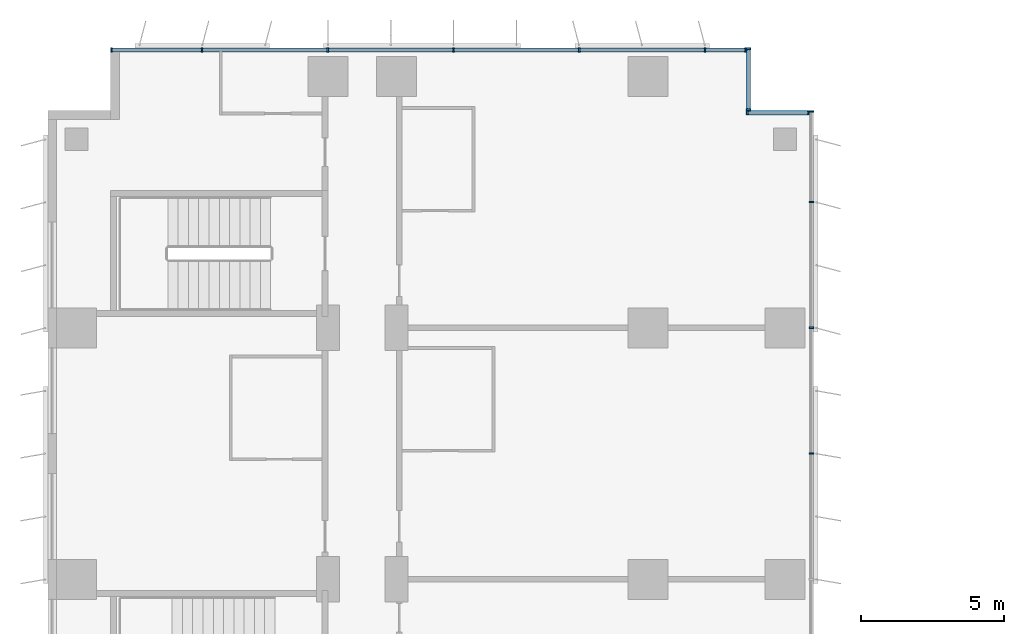
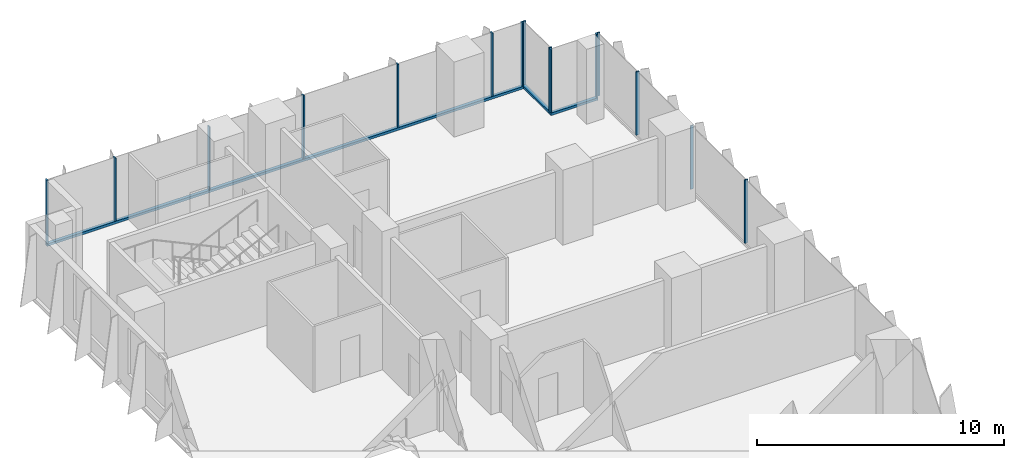
# One storey, part 9 of 23: 18 members, 4 elements without a shape of their own.
"""IFC4 building model written with IfcOpenShell, lengths in metres."""

from ifc_helpers import new_model, si_unit, direction, frame, origin, origin_2d, place, context, subcontext, project, spatial, rectangle, extrude, source, transform, mapped, material, material_profile, profile_set, type_object, element, aggregate, save


model = new_model("IFC4")

# Units and contexts
model_context = context("Model", 3, precision=1e-05, world=origin(), true_north=direction((0.0, 1.0)))
body_context = subcontext(model_context, "Body", "Model", "MODEL_VIEW")
ifc_project = project(units=[si_unit("LENGTHUNIT", "METRE"), si_unit("AREAUNIT", "SQUARE_METRE"), si_unit("VOLUMEUNIT", "CUBIC_METRE"), si_unit("PLANEANGLEUNIT", "RADIAN"), si_unit("MASSUNIT", "GRAM", prefix="KILO")], contexts=[model_context])

# Site, building, storey
site_placement = place(None, origin())
site = spatial("IfcSite", under=ifc_project, at=site_placement, CompositionType="ELEMENT")
building_placement = place(site_placement, origin())
building = spatial("IfcBuilding", under=site, at=building_placement, Name="Kemantara Hotel Tower", CompositionType="ELEMENT")
storey_placement = place(building_placement, frame((0.0, 0.0, 67.300048828125)))
storey = spatial("IfcBuildingStorey", under=building, at=storey_placement, Name="L15", CompositionType="ELEMENT", Elevation=67.300048828125)

# Curtain wall, member
ifc_material_1 = material(Name="Low-E tinted double insulated glass 36 mm", Category="glass")
curtain_wall_type = type_object("IfcCurtainWallType", Name="TOWER CURTAIN WALL, FRONT FACES", PredefinedType="USERDEFINED", material=ifc_material_1)
curtain_wall_1_placement = place(storey_placement, origin())
curtain_wall_1 = element("IfcCurtainWall", 1, at=curtain_wall_1_placement, inside=storey, type_object=curtain_wall_type, Name="CW4 L15 T1-R11-1", ObjectType="TOWER CURTAIN WALL, FRONT FACES", PredefinedType="USERDEFINED")
ifc_material_2 = material(Name="Aluminium 6063-T6 bronze anodised", Category="aluminium")
ifc_material_profile_1 = material_profile(ifc_material_2, rectangle(XDim=0.14990234375, YDim=0.1201171875, at=origin_2d()), Name="TOWER CURTAIN WALL, FRONT FACES TRANSOM")
ifc_profile_set_1 = profile_set([ifc_material_profile_1], Name="Aluminium 6063-T6 bronze anodised")
member_type_1 = type_object("IfcMemberType", Name="TOWER CURTAIN WALL, FRONT FACES TRANSOM", PredefinedType="USERDEFINED", material=ifc_profile_set_1)
member_1_placement = place(storey_placement, frame((24.449951171875, 81.125, 0.06005859375), z_axis=(-1.0, 0.0, 0.0), x_axis=(0.0, -1.0, 0.0)))
member_1 = element("IfcMember", 2, at=member_1_placement, type_object=member_type_1, Name="CW4 sill transom T1-R11-1", ObjectType="TRANSOM", PredefinedType="USERDEFINED", context=body_context, shape_type="SweptSolid", body=[
    extrude(rectangle(XDim=0.14990234375, YDim=0.1201171875, at=origin_2d()), origin(), (0.0, 0.0, 1.0), 22.25),
])

curtain_wall_2_placement = place(storey_placement, origin())
curtain_wall_2 = element("IfcCurtainWall", 3, at=curtain_wall_2_placement, inside=storey, type_object=curtain_wall_type, Name="CW4 L15 T1-R09-1", ObjectType="TOWER CURTAIN WALL, FRONT FACES", PredefinedType="USERDEFINED")
member_2_placement = place(storey_placement, frame((26.64990234375, 78.925048828125, 0.06005859375), z_axis=(-1.0, 0.0, 0.0), x_axis=(0.0, -1.0, 0.0)))
member_2 = element("IfcMember", 4, at=member_2_placement, type_object=member_type_1, Name="CW4 sill transom T1-R09-1", ObjectType="TRANSOM", PredefinedType="USERDEFINED", context=body_context, shape_type="SweptSolid", body=[
    extrude(rectangle(XDim=0.14990234375, YDim=0.1201171875, at=origin_2d()), origin(), (0.0, 0.0, 1.0), 2.199951171875),
])

curtain_wall_3_placement = place(storey_placement, origin())
curtain_wall_3 = element("IfcCurtainWall", 5, at=curtain_wall_3_placement, inside=storey, type_object=curtain_wall_type, Name="CW4 L15 T1-R10-1", ObjectType="TOWER CURTAIN WALL, FRONT FACES", PredefinedType="USERDEFINED")
member_3_placement = place(storey_placement, frame((24.52490234375, 79.0, 0.06005859375), z_axis=(0.0, 1.0, 0.0), x_axis=(-1.0, 0.0, 0.0)))
member_3 = element("IfcMember", 6, at=member_3_placement, type_object=member_type_1, Name="CW4 sill transom T1-R10-1", ObjectType="TRANSOM", PredefinedType="USERDEFINED", context=body_context, shape_type="SweptSolid", body=[
    extrude(rectangle(XDim=0.14990234375, YDim=0.1201171875, at=origin_2d()), origin(), (0.0, 0.0, 1.0), 2.199951171875),
])

# Curtain wall, members
curtain_wall_4_placement = place(storey_placement, origin())
curtain_wall_4 = element("IfcCurtainWall", 7, at=curtain_wall_4_placement, inside=storey, type_object=curtain_wall_type, Name="CW4 L15 T1-R08-1", ObjectType="TOWER CURTAIN WALL, FRONT FACES", PredefinedType="USERDEFINED")
ifc_material_profile_2 = material_profile(ifc_material_2, rectangle(XDim=0.14990234375, YDim=0.06005859375, at=origin_2d()), Name="TOWER CURTAIN WALL, FRONT FACES MULLION")
ifc_profile_set_2 = profile_set([ifc_material_profile_2], Name="Aluminium 6063-T6 bronze anodised")
member_type_2 = type_object("IfcMemberType", Name="TOWER CURTAIN WALL, FRONT FACES MULLION", PredefinedType="MULLION", material=ifc_profile_set_2)
shared_shape = source(origin(), body_context, "Body", "SweptSolid", [
    extrude(rectangle(XDim=0.14990234375, YDim=0.06005859375, at=origin_2d()), origin(), (0.0, 0.0, 1.0), 3.130126953125),
])
member_4_placement = place(storey_placement, frame((26.72509765625, 67.0, 0.119873046875), z_axis=(0.0, 0.0, 1.0), x_axis=(-1.0, 0.0, 0.0)))
member_4 = element("IfcMember", 8, at=member_4_placement, type_object=member_type_2, Name="CW4 mullion T1-R08-1.11", PredefinedType="MULLION", context=body_context, shape_type="MappedRepresentation", body=[
    mapped(shared_shape, transform((0.0, 0.0, 0.0))),
])
member_5_placement = place(storey_placement, frame((26.72509765625, 71.39990234375, 0.119873046875), z_axis=(0.0, 0.0, 1.0), x_axis=(-1.0, 0.0, 0.0)))
member_5 = element("IfcMember", 9, at=member_5_placement, type_object=member_type_2, Name="CW4 mullion T1-R08-1.12", PredefinedType="MULLION", context=body_context, shape_type="MappedRepresentation", body=[
    mapped(shared_shape, transform((0.0, 0.0, 0.0))),
])
member_6_placement = place(storey_placement, frame((26.72509765625, 75.800048828125, 0.119873046875), z_axis=(0.0, 0.0, 1.0), x_axis=(-1.0, 0.0, 0.0)))
member_6 = element("IfcMember", 10, at=member_6_placement, type_object=member_type_2, Name="CW4 mullion T1-R08-1.13", PredefinedType="MULLION", context=body_context, shape_type="MappedRepresentation", body=[
    mapped(shared_shape, transform((0.0, 0.0, 0.0))),
])
member_7_placement = place(storey_placement, frame((26.72509765625, 78.969970703125, 0.119873046875), z_axis=(0.0, 0.0, 1.0), x_axis=(-1.0, 0.0, 0.0)))
member_7 = element("IfcMember", 11, at=member_7_placement, type_object=member_type_2, Name="CW4 mullion T1-R08-1.14", PredefinedType="MULLION", context=body_context, shape_type="MappedRepresentation", body=[
    mapped(shared_shape, transform((0.0, 0.0, 0.0))),
])
aggregate(curtain_wall_4, [member_4, member_5, member_6, member_7])

# Member
member_8_placement = place(storey_placement, frame((24.419921875, 81.125, 0.119873046875), z_axis=(0.0, 0.0, 1.0), x_axis=(0.0, -1.0, 0.0)))
member_8 = element("IfcMember", 12, at=member_8_placement, type_object=member_type_2, Name="CW4 mullion T1-R11-1.1", PredefinedType="MULLION", context=body_context, shape_type="MappedRepresentation", body=[
    mapped(shared_shape, transform((0.0, 0.0, 0.0))),
])

member_9_placement = place(storey_placement, frame((23.0, 81.125, 0.119873046875), z_axis=(0.0, 0.0, 1.0), x_axis=(0.0, -1.0, 0.0)))
member_9 = element("IfcMember", 13, at=member_9_placement, type_object=member_type_2, Name="CW4 mullion T1-R11-1.2", PredefinedType="MULLION", context=body_context, shape_type="MappedRepresentation", body=[
    mapped(shared_shape, transform((0.0, 0.0, 0.0))),
])

member_10_placement = place(storey_placement, frame((18.60009765625, 81.125, 0.119873046875), z_axis=(0.0, 0.0, 1.0), x_axis=(0.0, -1.0, 0.0)))
member_10 = element("IfcMember", 14, at=member_10_placement, type_object=member_type_2, Name="CW4 mullion T1-R11-1.3", PredefinedType="MULLION", context=body_context, shape_type="MappedRepresentation", body=[
    mapped(shared_shape, transform((0.0, 0.0, 0.0))),
])

member_11_placement = place(storey_placement, frame((14.199951171875, 81.125, 0.119873046875), z_axis=(0.0, 0.0, 1.0), x_axis=(0.0, -1.0, 0.0)))
member_11 = element("IfcMember", 15, at=member_11_placement, type_object=member_type_2, Name="CW4 mullion T1-R11-1.4", PredefinedType="MULLION", context=body_context, shape_type="MappedRepresentation", body=[
    mapped(shared_shape, transform((0.0, 0.0, 0.0))),
])

member_12_placement = place(storey_placement, frame((9.800048828125, 81.125, 0.119873046875), z_axis=(0.0, 0.0, 1.0), x_axis=(0.0, -1.0, 0.0)))
member_12 = element("IfcMember", 16, at=member_12_placement, type_object=member_type_2, Name="CW4 mullion T1-R11-1.5", PredefinedType="MULLION", context=body_context, shape_type="MappedRepresentation", body=[
    mapped(shared_shape, transform((0.0, 0.0, 0.0))),
])

member_13_placement = place(storey_placement, frame((5.39990234375, 81.125, 0.119873046875), z_axis=(0.0, 0.0, 1.0), x_axis=(0.0, -1.0, 0.0)))
member_13 = element("IfcMember", 17, at=member_13_placement, type_object=member_type_2, Name="CW4 mullion T1-R11-1.6", PredefinedType="MULLION", context=body_context, shape_type="MappedRepresentation", body=[
    mapped(shared_shape, transform((0.0, 0.0, 0.0))),
])

member_14_placement = place(storey_placement, frame((2.22998046875, 81.125, 0.119873046875), z_axis=(0.0, 0.0, 1.0), x_axis=(0.0, -1.0, 0.0)))
member_14 = element("IfcMember", 18, at=member_14_placement, type_object=member_type_2, Name="CW4 mullion T1-R11-1.7", PredefinedType="MULLION", context=body_context, shape_type="MappedRepresentation", body=[
    mapped(shared_shape, transform((0.0, 0.0, 0.0))),
])

aggregate(curtain_wall_1, [member_1, member_8, member_9, member_10, member_11, member_12, member_13, member_14])

member_15_placement = place(storey_placement, frame((26.6201171875, 78.925048828125, 0.119873046875), z_axis=(0.0, 0.0, 1.0), x_axis=(0.0, -1.0, 0.0)))
member_15 = element("IfcMember", 19, at=member_15_placement, type_object=member_type_2, Name="CW4 mullion T1-R09-1.1", PredefinedType="MULLION", context=body_context, shape_type="MappedRepresentation", body=[
    mapped(shared_shape, transform((0.0, 0.0, 0.0))),
])

member_16_placement = place(storey_placement, frame((24.47998046875, 78.925048828125, 0.119873046875), z_axis=(0.0, 0.0, 1.0), x_axis=(0.0, -1.0, 0.0)))
member_16 = element("IfcMember", 20, at=member_16_placement, type_object=member_type_2, Name="CW4 mullion T1-R09-1.2", PredefinedType="MULLION", context=body_context, shape_type="MappedRepresentation", body=[
    mapped(shared_shape, transform((0.0, 0.0, 0.0))),
])

aggregate(curtain_wall_2, [member_2, member_15, member_16])

member_17_placement = place(storey_placement, frame((24.52490234375, 79.030029296875, 0.119873046875), z_axis=(0.0, 0.0, 1.0), x_axis=(-1.0, 0.0, 0.0)))
member_17 = element("IfcMember", 21, at=member_17_placement, type_object=member_type_2, Name="CW4 mullion T1-R10-1.1", PredefinedType="MULLION", context=body_context, shape_type="MappedRepresentation", body=[
    mapped(shared_shape, transform((0.0, 0.0, 0.0))),
])

member_18_placement = place(storey_placement, frame((24.52490234375, 81.169921875, 0.119873046875), z_axis=(0.0, 0.0, 1.0), x_axis=(-1.0, 0.0, 0.0)))
member_18 = element("IfcMember", 22, at=member_18_placement, type_object=member_type_2, Name="CW4 mullion T1-R10-1.2", PredefinedType="MULLION", context=body_context, shape_type="MappedRepresentation", body=[
    mapped(shared_shape, transform((0.0, 0.0, 0.0))),
])

aggregate(curtain_wall_3, [member_3, member_17, member_18])

save(model, "model.ifc")
